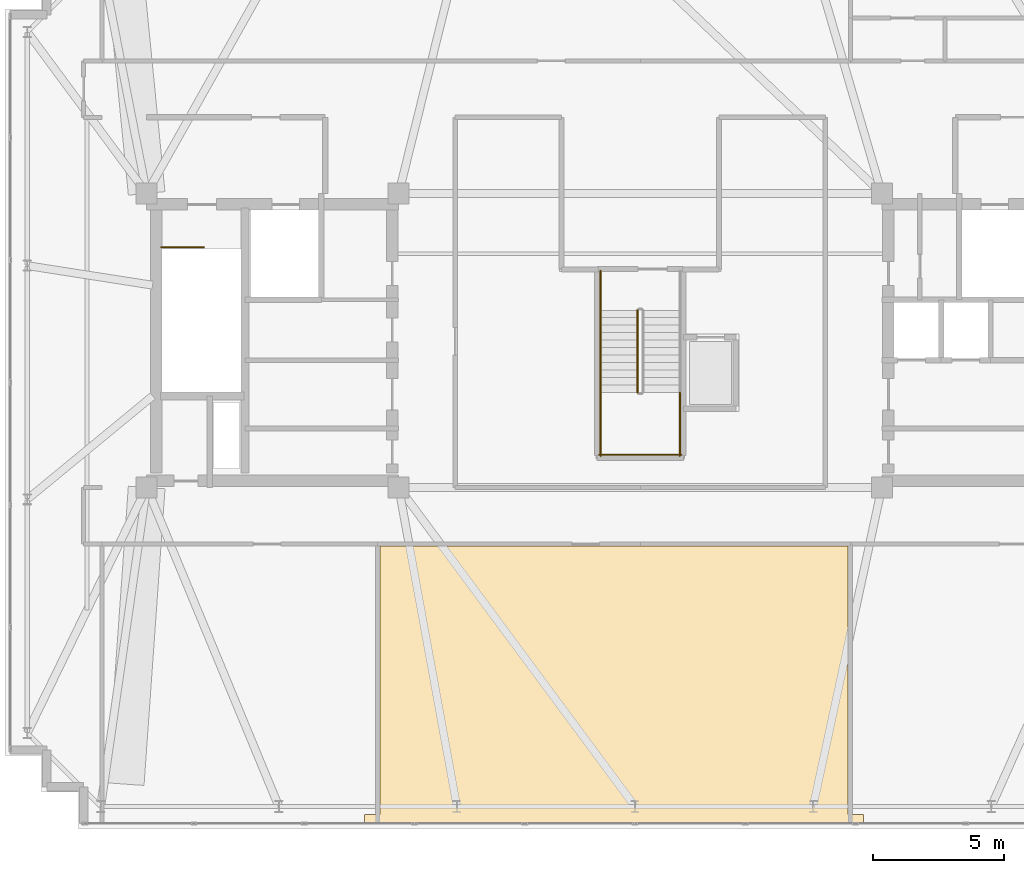
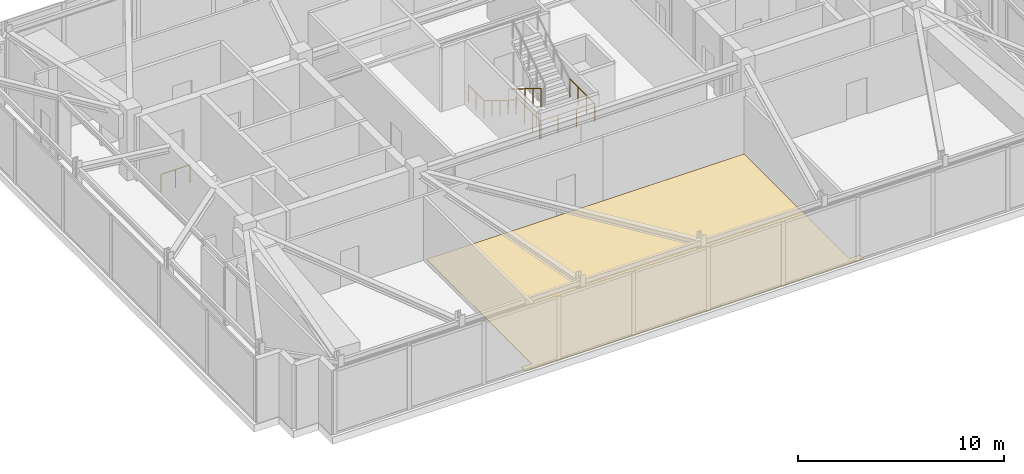
# One storey, part 25 of 27: 7 railings, 1 covering.
"""IFC4 building model written with IfcOpenShell, lengths in metres."""

from ifc_helpers import new_model, si_unit, direction, frame, origin, origin_2d, place, context, subcontext, project, spatial, polyline, circle, outline, extrude, material, layer, layer_set, type_object, element, save


model = new_model("IFC4")

# Units and contexts
model_context = context("Model", 3, precision=1e-05, world=origin(), true_north=direction((0.0, 1.0)))
body_context = subcontext(model_context, "Body", "Model", "MODEL_VIEW")
ifc_project = project(units=[si_unit("LENGTHUNIT", "METRE"), si_unit("AREAUNIT", "SQUARE_METRE"), si_unit("VOLUMEUNIT", "CUBIC_METRE"), si_unit("PLANEANGLEUNIT", "RADIAN"), si_unit("MASSUNIT", "GRAM", prefix="KILO")], contexts=[model_context])

# Site, building, storey
site_placement = place(None, origin())
site = spatial("IfcSite", under=ifc_project, at=site_placement, CompositionType="ELEMENT")
building_placement = place(site_placement, origin())
building = spatial("IfcBuilding", under=site, at=building_placement, Name="Qobustan Lattice House", CompositionType="ELEMENT")
storey_placement = place(building_placement, frame((0.0, 0.0, 266.0)))
storey = spatial("IfcBuildingStorey", under=building, at=storey_placement, Name="L75", CompositionType="ELEMENT", Elevation=266.0)

# Covering
ifc_material_1 = material(Name="Honed Absheron stone terrazzo flooring", Category="masonry")
ifc_layer = layer(ifc_material_1, 0.02490234375)
ifc_layer_set = layer_set([ifc_layer], Name="Honed Absheron stone terrazzo flooring")
covering_type = type_object("IfcCoveringType", Name="COV-TERRAZZO-FLR", PredefinedType="FLOORING", material=ifc_layer_set)
covering_placement = place(storey_placement, origin())
element("IfcCovering", 1, at=covering_placement, inside=storey, type_object=covering_type, Name="L75 Caspian sky cafe dining room stone terrazzo flooring", PredefinedType="FLOORING", context=body_context, shape_type="SweptSolid", body=[
    extrude(outline(polyline([(-10.5, -18.06005859375), (-10.5, -18.429931640625), (8.5, -18.429931640625), (8.5, -18.06005859375), (7.919921875, -18.06005859375), (7.919921875, -7.830078125), (-9.919921875, -7.830078125), (-9.919921875, -18.06005859375), (-10.5, -18.06005859375)])), origin(), (0.0, 0.0, 1.0), 0.02490234375),
])

# Railings
ifc_material_2 = material(Name="Brushed stainless steel handrail", Category="steel")
railing_type_1 = type_object("IfcRailingType", Name="RAL-HR-920", PredefinedType="HANDRAIL", material=ifc_material_2)
railing_1_placement = place(storey_placement, frame((-1.510009765625, 1.14990234375, 0.175048828125)))
element("IfcRailing", 2, at=railing_1_placement, inside=storey, type_object=railing_type_1, Name="L75 ST-C1 stair handrail 1", PredefinedType="HANDRAIL", context=body_context, shape_type="SweptSolid", body=[
    extrude(circle(Radius=0.02392578125, at=origin_2d()), frame((0.0, 0.0, 0.8759765625), z_axis=(0.0, -0.852166034122, 0.523271488128), x_axis=(1.0, 0.0, 0.0)), (0.0, 0.0, 1.0), 3.678955078125),
    extrude(circle(Radius=0.02099609375, at=origin_2d()), origin(), (0.0, 0.0, 1.0), 0.851806640625),
    extrude(circle(Radius=0.02099609375, at=origin_2d()), frame((0.0, -0.78369140625, 0.481201171875)), (0.0, 0.0, 1.0), 0.851806640625),
    extrude(circle(Radius=0.02099609375, at=origin_2d()), frame((0.0, -1.5673828125, 0.96240234375)), (0.0, 0.0, 1.0), 0.851806640625),
    extrude(circle(Radius=0.02099609375, at=origin_2d()), frame((0.0, -2.351318359375, 1.44384765625)), (0.0, 0.0, 1.0), 0.851806640625),
    extrude(circle(Radius=0.02099609375, at=origin_2d()), frame((0.0, -3.135009765625, 1.925048828125)), (0.0, 0.0, 1.0), 0.851806640625),
])
ifc_material_3 = material(Name="Painted galvanized steel guardrail", Category="steel")
railing_type_2 = type_object("IfcRailingType", Name="RAL-STG-1150", PredefinedType="GUARDRAIL", material=ifc_material_3)
railing_2_placement = place(storey_placement, frame((-18.25, 3.550048828125, 0.0)))
element("IfcRailing", 3, at=railing_2_placement, inside=storey, type_object=railing_type_2, Name="L75 ST-W1 top well guard 1", PredefinedType="GUARDRAIL", context=body_context, shape_type="SweptSolid", body=[
    extrude(circle(Radius=0.02392578125, at=origin_2d()), frame((0.0, 0.0, 1.076171875), z_axis=(1.0, 0.0, 0.0), x_axis=(0.0, 1.0, 0.0)), (0.0, 0.0, 1.0), 1.6201171875),
    extrude(circle(Radius=0.02099609375, at=origin_2d()), origin(), (0.0, 0.0, 1.0), 1.052001953125),
    extrude(circle(Radius=0.02099609375, at=origin_2d()), frame((0.81005859375, 0.0, 0.0)), (0.0, 0.0, 1.0), 1.052001953125),
    extrude(circle(Radius=0.02099609375, at=origin_2d()), frame((1.6201171875, 0.0, 0.0)), (0.0, 0.0, 1.0), 1.052001953125),
])
railing_3_placement = place(storey_placement, frame((-0.110107421875, 1.14990234375, 0.175048828125)))
element("IfcRailing", 4, at=railing_3_placement, inside=storey, type_object=railing_type_2, Name="L75 ST-C1 stair guard 1", PredefinedType="GUARDRAIL", context=body_context, shape_type="SweptSolid", body=[
    extrude(circle(Radius=0.02392578125, at=origin_2d()), frame((0.0, 0.0, 1.076171875), z_axis=(0.0, -0.852166034122, 0.523271488128), x_axis=(1.0, 0.0, 0.0)), (0.0, 0.0, 1.0), 3.678955078125),
    extrude(circle(Radius=0.02099609375, at=origin_2d()), origin(), (0.0, 0.0, 1.0), 1.052001953125),
    extrude(circle(Radius=0.02099609375, at=origin_2d()), frame((0.0, -0.78369140625, 0.481201171875)), (0.0, 0.0, 1.0), 1.052001953125),
    extrude(circle(Radius=0.02099609375, at=origin_2d()), frame((0.0, -1.5673828125, 0.96240234375)), (0.0, 0.0, 1.0), 1.052001953125),
    extrude(circle(Radius=0.02099609375, at=origin_2d()), frame((0.0, -2.351318359375, 1.44384765625)), (0.0, 0.0, 1.0), 1.052001953125),
    extrude(circle(Radius=0.02099609375, at=origin_2d()), frame((0.0, -3.135009765625, 1.925048828125)), (0.0, 0.0, 1.0), 1.052001953125),
])
for number, where, name in (
    (5, (-1.510009765625, -1.985107421875, 2.10009765625), "L75 ST-C1 stair guard 3"),
    (6, (1.510009765625, -1.985107421875, 2.10009765625), "L75 ST-C1 stair guard 4"),
):
    element("IfcRailing", number, at=place(storey_placement, frame(where)), inside=storey, type_object=railing_type_2, Name=name, PredefinedType="GUARDRAIL", context=body_context, shape_type="SweptSolid", body=[
        extrude(circle(Radius=0.02392578125, at=origin_2d()), frame((0.0, 0.0, 1.076171875), z_axis=(0.0, -1.0, 0.0), x_axis=(1.0, 0.0, 0.0)), (0.0, 0.0, 1.0), 2.414794921875),
        extrude(circle(Radius=0.02099609375, at=origin_2d()), origin(), (0.0, 0.0, 1.0), 1.052001953125),
        extrude(circle(Radius=0.02099609375, at=origin_2d()), frame((0.0, -0.804931640625, 0.0)), (0.0, 0.0, 1.0), 1.052001953125),
        extrude(circle(Radius=0.02099609375, at=origin_2d()), frame((0.0, -1.60986328125, 0.0)), (0.0, 0.0, 1.0), 1.052001953125),
        extrude(circle(Radius=0.02099609375, at=origin_2d()), frame((0.0, -2.414794921875, 0.0)), (0.0, 0.0, 1.0), 1.052001953125),
    ])
railing_4_placement = place(storey_placement, frame((-1.56005859375, -4.35009765625, 2.10009765625)))
element("IfcRailing", 7, at=railing_4_placement, inside=storey, type_object=railing_type_2, Name="L75 ST-C1 stair guard 5", PredefinedType="GUARDRAIL", context=body_context, shape_type="SweptSolid", body=[
    extrude(circle(Radius=0.02392578125, at=origin_2d()), frame((0.0, 0.0, 1.076171875), z_axis=(1.0, 0.0, 0.0), x_axis=(0.0, 1.0, 0.0)), (0.0, 0.0, 1.0), 3.1201171875),
    extrude(circle(Radius=0.02099609375, at=origin_2d()), origin(), (0.0, 0.0, 1.0), 1.052001953125),
    extrude(circle(Radius=0.02099609375, at=origin_2d()), frame((1.0400390625, 0.0, 0.0)), (0.0, 0.0, 1.0), 1.052001953125),
    extrude(circle(Radius=0.02099609375, at=origin_2d()), frame((2.080078125, 0.0, 0.0)), (0.0, 0.0, 1.0), 1.052001953125),
    extrude(circle(Radius=0.02099609375, at=origin_2d()), frame((3.1201171875, 0.0, 0.0)), (0.0, 0.0, 1.0), 1.052001953125),
])
railing_5_placement = place(storey_placement, frame((-1.510009765625, 2.64990234375, 0.0)))
element("IfcRailing", 8, at=railing_5_placement, inside=storey, type_object=railing_type_2, Name="L75 ST-C1 stair guard 8", PredefinedType="GUARDRAIL", context=body_context, shape_type="SweptSolid", body=[
    extrude(circle(Radius=0.02392578125, at=origin_2d()), frame((0.0, 0.0, 1.076171875), z_axis=(0.0, -1.0, 0.0), x_axis=(1.0, 0.0, 0.0)), (0.0, 0.0, 1.0), 1.5),
    extrude(circle(Radius=0.02099609375, at=origin_2d()), origin(), (0.0, 0.0, 1.0), 1.052001953125),
    extrude(circle(Radius=0.02099609375, at=origin_2d()), frame((0.0, -0.75, 0.0)), (0.0, 0.0, 1.0), 1.052001953125),
    extrude(circle(Radius=0.02099609375, at=origin_2d()), frame((0.0, -1.5, 0.0)), (0.0, 0.0, 1.0), 1.052001953125),
])

save(model, "model.ifc")
